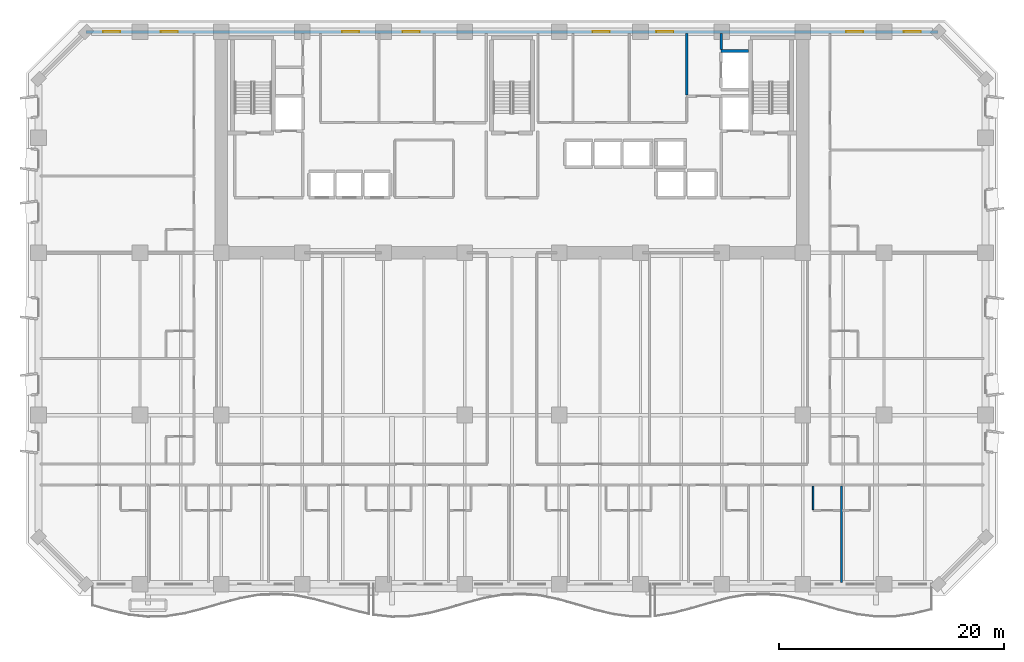
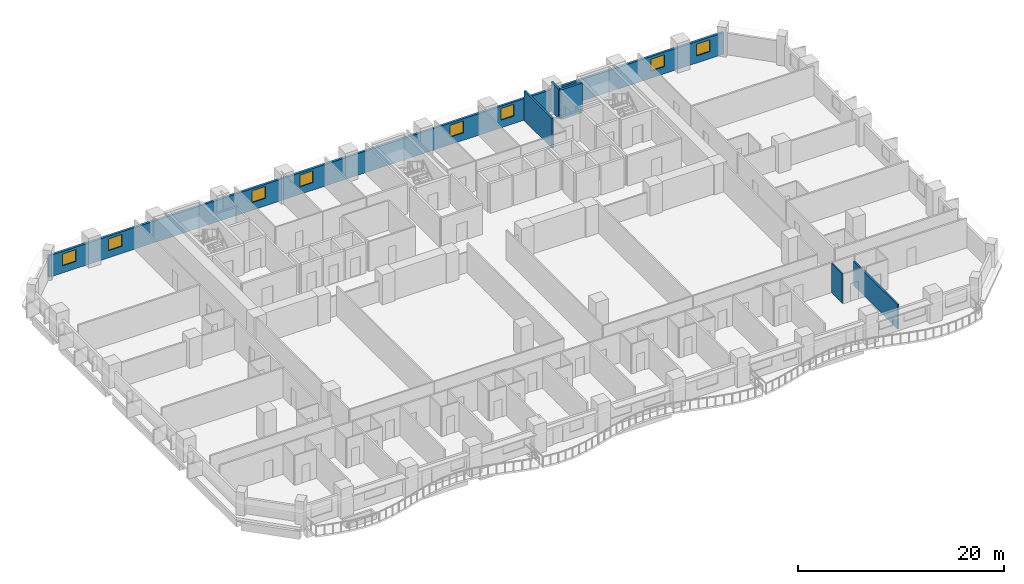
# One storey, part 10 of 16: 8 windows, 6 walls, 8 openings.
"""IFC4 building model written with IfcOpenShell, lengths in metres."""

from ifc_helpers import new_model, si_unit, direction, frame, frame_2d, origin, place, context, subcontext, project, spatial, rectangle, extrude, material, layer, layer_set, type_object, element, fill, save


model = new_model("IFC4")

# Units and contexts
model_context = context("Model", 3, precision=1e-05, world=origin(), true_north=direction((0.0, 1.0)))
body_context = subcontext(model_context, "Body", "Model", "MODEL_VIEW")
ifc_project = project(units=[si_unit("LENGTHUNIT", "METRE"), si_unit("AREAUNIT", "SQUARE_METRE"), si_unit("VOLUMEUNIT", "CUBIC_METRE"), si_unit("PLANEANGLEUNIT", "RADIAN"), si_unit("MASSUNIT", "GRAM", prefix="KILO")], contexts=[model_context])

# Site, building, storey
site_placement = place(None, origin())
site = spatial("IfcSite", under=ifc_project, at=site_placement, CompositionType="ELEMENT")
building_placement = place(site_placement, origin())
building = spatial("IfcBuilding", under=site, at=building_placement, Name="Kaelvorn Grand Hotel", CompositionType="ELEMENT")
storey_placement = place(building_placement, frame((0.0, 0.0, 35.14990234375)))
storey = spatial("IfcBuildingStorey", under=building, at=storey_placement, Name="L06", CompositionType="ELEMENT", Elevation=35.14990234375)

# Wall, openings, windows
ifc_material_1 = material(Name="Concrete C40/50", Category="concrete")
ifc_layer_1 = layer(ifc_material_1, 0.260009765625)
ifc_layer_set_1 = layer_set([ifc_layer_1], Name="Concrete C40/50")
wall_type_1 = type_object("IfcWallType", Name="WL-EXT-260-C40", PredefinedType="SOLIDWALL", material=ifc_layer_set_1)
wall_1_placement = place(storey_placement, frame((79.800048828125, 49.0, 0.0), z_axis=(0.0, 0.0, 1.0), x_axis=(-1.0, 0.0, 0.0)))
wall_1 = element("IfcWall", 1, at=wall_1_placement, inside=storey, type_object=wall_type_1, Name="L06 Exterior Architectural Concrete Wall 05", PredefinedType="SOLIDWALL", context=body_context, shape_type="SweptSolid", body=[
    extrude(rectangle(XDim=75.60009765625, YDim=0.260009765625, at=frame_2d((37.800048828125, 0.0))), origin(), (0.0, 0.0, 1.0), 2.56005859375),
])
opening_1_placement = place(wall_1_placement, frame((72.56494140625, 0.0, 0.85009765625)))
opening_1 = element("IfcOpeningElement", 2, at=opening_1_placement, cuts=wall_1, Name="Opening W10", PredefinedType="OPENING", context=body_context, shape_type="SweptSolid", body=[
    extrude(rectangle(XDim=1.5, YDim=1.39990234375, at=frame_2d((0.75, 0.699951171875))), frame((0.0, 0.14013671875, 0.0), z_axis=(0.0, -1.0, 0.0), x_axis=(1.0, 0.0, 0.0)), (0.0, 0.0, 1.0), 0.280029296875),
])
opening_2_placement = place(wall_1_placement, frame((67.449951171875, 0.0, 0.85009765625)))
opening_2 = element("IfcOpeningElement", 3, at=opening_2_placement, cuts=wall_1, Name="Opening W10", PredefinedType="OPENING", context=body_context, shape_type="SweptSolid", body=[
    extrude(rectangle(XDim=1.5, YDim=1.39990234375, at=frame_2d((0.75, 0.699951171875))), frame((0.0, 0.14013671875, 0.0), z_axis=(0.0, -1.0, 0.0), x_axis=(1.0, 0.0, 0.0)), (0.0, 0.0, 1.0), 0.280029296875),
])
opening_3_placement = place(wall_1_placement, frame((6.64990234375, 0.0, 0.85009765625)))
opening_3 = element("IfcOpeningElement", 4, at=opening_3_placement, cuts=wall_1, Name="Opening W10", PredefinedType="OPENING", context=body_context, shape_type="SweptSolid", body=[
    extrude(rectangle(XDim=1.5, YDim=1.39990234375, at=frame_2d((0.75, 0.699951171875))), frame((0.0, 0.14013671875, 0.0), z_axis=(0.0, -1.0, 0.0), x_axis=(1.0, 0.0, 0.0)), (0.0, 0.0, 1.0), 0.280029296875),
])
opening_4_placement = place(wall_1_placement, frame((1.534912109375, 0.0, 0.85009765625)))
opening_4 = element("IfcOpeningElement", 5, at=opening_4_placement, cuts=wall_1, Name="Opening W10", PredefinedType="OPENING", context=body_context, shape_type="SweptSolid", body=[
    extrude(rectangle(XDim=1.5, YDim=1.39990234375, at=frame_2d((0.75, 0.699951171875))), frame((0.0, 0.14013671875, 0.0), z_axis=(0.0, -1.0, 0.0), x_axis=(1.0, 0.0, 0.0)), (0.0, 0.0, 1.0), 0.280029296875),
])
opening_5_placement = place(wall_1_placement, frame((51.364990234375, 0.0, 0.89990234375)))
opening_5 = element("IfcOpeningElement", 6, at=opening_5_placement, cuts=wall_1, Name="Opening W10", PredefinedType="OPENING", context=body_context, shape_type="SweptSolid", body=[
    extrude(rectangle(XDim=1.5, YDim=1.39990234375, at=frame_2d((0.75, 0.699951171875))), frame((0.0, 0.14013671875, 0.0), z_axis=(0.0, -1.0, 0.0), x_axis=(1.0, 0.0, 0.0)), (0.0, 0.0, 1.0), 0.280029296875),
])
opening_6_placement = place(wall_1_placement, frame((46.0, 0.0, 0.89990234375)))
opening_6 = element("IfcOpeningElement", 7, at=opening_6_placement, cuts=wall_1, Name="Opening W10", PredefinedType="OPENING", context=body_context, shape_type="SweptSolid", body=[
    extrude(rectangle(XDim=1.5, YDim=1.39990234375, at=frame_2d((0.75, 0.699951171875))), frame((0.0, 0.14013671875, 0.0), z_axis=(0.0, -1.0, 0.0), x_axis=(1.0, 0.0, 0.0)), (0.0, 0.0, 1.0), 0.280029296875),
])
opening_7_placement = place(wall_1_placement, frame((29.14990234375, 0.0, 0.89990234375)))
opening_7 = element("IfcOpeningElement", 8, at=opening_7_placement, cuts=wall_1, Name="Opening W10", PredefinedType="OPENING", context=body_context, shape_type="SweptSolid", body=[
    extrude(rectangle(XDim=1.5, YDim=1.39990234375, at=frame_2d((0.75, 0.699951171875))), frame((0.0, 0.14013671875, 0.0), z_axis=(0.0, -1.0, 0.0), x_axis=(1.0, 0.0, 0.0)), (0.0, 0.0, 1.0), 0.280029296875),
])
opening_8_placement = place(wall_1_placement, frame((23.485107421875, 0.0, 0.89990234375)))
opening_8 = element("IfcOpeningElement", 9, at=opening_8_placement, cuts=wall_1, Name="Opening W10", PredefinedType="OPENING", context=body_context, shape_type="SweptSolid", body=[
    extrude(rectangle(XDim=1.5, YDim=1.39990234375, at=frame_2d((0.75, 0.699951171875))), frame((0.0, 0.14013671875, 0.0), z_axis=(0.0, -1.0, 0.0), x_axis=(1.0, 0.0, 0.0)), (0.0, 0.0, 1.0), 0.280029296875),
])
ifc_material_2 = material(Name="Laminated Low-E Glass", Category="glass")
window_type = type_object("IfcWindowType", Name="WIN-COR-1500x1400", PartitioningType="SINGLE_PANEL", PredefinedType="WINDOW", material=ifc_material_2)
window_1_placement = place(opening_1_placement, origin())
window_1 = element("IfcWindow", 10, at=window_1_placement, inside=storey, type_object=window_type, Name="L06 North Wing Ribbon Window NW01", OverallHeight=1.39990234375, OverallWidth=1.5, PartitioningType="SINGLE_PANEL", PredefinedType="WINDOW", context=body_context, shape_type="SweptSolid", body=[
    extrude(rectangle(XDim=1.5, YDim=1.39990234375, at=frame_2d((0.75, 0.699951171875))), frame((0.0, 0.030029296875, 0.0), z_axis=(0.0, -1.0, 0.0), x_axis=(1.0, 0.0, 0.0)), (0.0, 0.0, 1.0), 0.06005859375),
])
fill(opening_1, window_1)
window_2_placement = place(opening_2_placement, origin())
window_2 = element("IfcWindow", 11, at=window_2_placement, inside=storey, type_object=window_type, Name="L06 North Wing Ribbon Window NW02", OverallHeight=1.39990234375, OverallWidth=1.5, PartitioningType="SINGLE_PANEL", PredefinedType="WINDOW", context=body_context, shape_type="SweptSolid", body=[
    extrude(rectangle(XDim=1.5, YDim=1.39990234375, at=frame_2d((0.75, 0.699951171875))), frame((0.0, 0.030029296875, 0.0), z_axis=(0.0, -1.0, 0.0), x_axis=(1.0, 0.0, 0.0)), (0.0, 0.0, 1.0), 0.06005859375),
])
fill(opening_2, window_2)
window_3_placement = place(opening_3_placement, origin())
window_3 = element("IfcWindow", 12, at=window_3_placement, inside=storey, type_object=window_type, Name="L06 North Wing Ribbon Window NW03", OverallHeight=1.39990234375, OverallWidth=1.5, PartitioningType="SINGLE_PANEL", PredefinedType="WINDOW", context=body_context, shape_type="SweptSolid", body=[
    extrude(rectangle(XDim=1.5, YDim=1.39990234375, at=frame_2d((0.75, 0.699951171875))), frame((0.0, 0.030029296875, 0.0), z_axis=(0.0, -1.0, 0.0), x_axis=(1.0, 0.0, 0.0)), (0.0, 0.0, 1.0), 0.06005859375),
])
fill(opening_3, window_3)
window_4_placement = place(opening_4_placement, origin())
window_4 = element("IfcWindow", 13, at=window_4_placement, inside=storey, type_object=window_type, Name="L06 North Wing Ribbon Window NW04", OverallHeight=1.39990234375, OverallWidth=1.5, PartitioningType="SINGLE_PANEL", PredefinedType="WINDOW", context=body_context, shape_type="SweptSolid", body=[
    extrude(rectangle(XDim=1.5, YDim=1.39990234375, at=frame_2d((0.75, 0.699951171875))), frame((0.0, 0.030029296875, 0.0), z_axis=(0.0, -1.0, 0.0), x_axis=(1.0, 0.0, 0.0)), (0.0, 0.0, 1.0), 0.06005859375),
])
fill(opening_4, window_4)
window_5_placement = place(opening_5_placement, origin())
window_5 = element("IfcWindow", 14, at=window_5_placement, inside=storey, type_object=window_type, Name="L06 North Core Clerestory Ribbon Window NC05", OverallHeight=1.39990234375, OverallWidth=1.5, PartitioningType="SINGLE_PANEL", PredefinedType="WINDOW", context=body_context, shape_type="SweptSolid", body=[
    extrude(rectangle(XDim=1.5, YDim=1.39990234375, at=frame_2d((0.75, 0.699951171875))), frame((0.0, 0.030029296875, 0.0), z_axis=(0.0, -1.0, 0.0), x_axis=(1.0, 0.0, 0.0)), (0.0, 0.0, 1.0), 0.06005859375),
])
fill(opening_5, window_5)
window_6_placement = place(opening_6_placement, origin())
window_6 = element("IfcWindow", 15, at=window_6_placement, inside=storey, type_object=window_type, Name="L06 North Core Clerestory Ribbon Window NC06", OverallHeight=1.39990234375, OverallWidth=1.5, PartitioningType="SINGLE_PANEL", PredefinedType="WINDOW", context=body_context, shape_type="SweptSolid", body=[
    extrude(rectangle(XDim=1.5, YDim=1.39990234375, at=frame_2d((0.75, 0.699951171875))), frame((0.0, 0.030029296875, 0.0), z_axis=(0.0, -1.0, 0.0), x_axis=(1.0, 0.0, 0.0)), (0.0, 0.0, 1.0), 0.06005859375),
])
fill(opening_6, window_6)
window_7_placement = place(opening_7_placement, origin())
window_7 = element("IfcWindow", 16, at=window_7_placement, inside=storey, type_object=window_type, Name="L06 North Core Clerestory Ribbon Window NC07", OverallHeight=1.39990234375, OverallWidth=1.5, PartitioningType="SINGLE_PANEL", PredefinedType="WINDOW", context=body_context, shape_type="SweptSolid", body=[
    extrude(rectangle(XDim=1.5, YDim=1.39990234375, at=frame_2d((0.75, 0.699951171875))), frame((0.0, 0.030029296875, 0.0), z_axis=(0.0, -1.0, 0.0), x_axis=(1.0, 0.0, 0.0)), (0.0, 0.0, 1.0), 0.06005859375),
])
fill(opening_7, window_7)
window_8_placement = place(opening_8_placement, origin())
window_8 = element("IfcWindow", 17, at=window_8_placement, inside=storey, type_object=window_type, Name="L06 North Core Clerestory Ribbon Window NC08", OverallHeight=1.39990234375, OverallWidth=1.5, PartitioningType="SINGLE_PANEL", PredefinedType="WINDOW", context=body_context, shape_type="SweptSolid", body=[
    extrude(rectangle(XDim=1.5, YDim=1.39990234375, at=frame_2d((0.75, 0.699951171875))), frame((0.0, 0.030029296875, 0.0), z_axis=(0.0, -1.0, 0.0), x_axis=(1.0, 0.0, 0.0)), (0.0, 0.0, 1.0), 0.06005859375),
])
fill(opening_8, window_8)

# Walls
ifc_material_3 = material(Name="Moisture-Resistant Tile & Stud Board")
ifc_layer_2 = layer(ifc_material_3, 0.125)
ifc_layer_set_2 = layer_set([ifc_layer_2], Name="Moisture-Resistant Tile & Stud Board")
wall_type_2 = type_object("IfcWallType", Name="WL-PART-125-WET", PredefinedType="PARTITIONING", material=ifc_layer_set_2)
wall_2_placement = place(storey_placement, frame((68.716796875, 6.617431640625, 0.0), z_axis=(0.0, 0.0, 1.0), x_axis=(0.0, 1.0, 0.0)))
element("IfcWall", 18, at=wall_2_placement, inside=storey, type_object=wall_type_2, Name="L06 En-suite Bathroom L06-12 W Partition", PredefinedType="PARTITIONING", context=body_context, shape_type="SweptSolid", body=[
    extrude(rectangle(XDim=2.087646484375, YDim=0.125, at=frame_2d((1.0439453125, 0.0))), origin(), (0.0, 0.0, 1.0), 3.510009765625),
])
ifc_material_4 = material(Name="Acoustic Gypsum & Stud Partition")
ifc_layer_3 = layer(ifc_material_4, 0.179931640625)
ifc_layer_set_3 = layer_set([ifc_layer_3], Name="Acoustic Gypsum & Stud Partition")
wall_type_3 = type_object("IfcWallType", Name="WL-PART-180-EI60", PredefinedType="PARTITIONING", material=ifc_layer_set_3)
wall_3_placement = place(storey_placement, frame((71.216796875, 0.14990234375, 0.0), z_axis=(0.0, 0.0, 1.0), x_axis=(0.0, 1.0, 0.0)))
element("IfcWall", 19, at=wall_3_placement, inside=storey, type_object=wall_type_3, Name="L06 Deluxe King Guest Room L06-12 E Partition", PredefinedType="PARTITIONING", context=body_context, shape_type="SweptSolid", body=[
    extrude(rectangle(XDim=8.55517578125, YDim=0.179931640625, at=frame_2d((4.277587890625, 0.0))), origin(), (0.0, 0.0, 1.0), 2.880126953125),
])
ifc_layer_4 = layer(ifc_material_1, 0.219970703125)
ifc_layer_set_4 = layer_set([ifc_layer_4], Name="Concrete C40/50")
wall_type_4 = type_object("IfcWallType", Name="WL-PART-220-EI120", PredefinedType="PARTITIONING", material=ifc_layer_set_4)
wall_4_placement = place(storey_placement, frame((57.5, 43.4150390625, 0.0), z_axis=(0.0, 0.0, 1.0), x_axis=(0.0, 1.0, 0.0)))
element("IfcWall", 20, at=wall_4_placement, inside=storey, type_object=wall_type_4, Name="L06 Service Lift Lobby W Partition", PredefinedType="PARTITIONING", context=body_context, shape_type="SweptSolid", body=[
    extrude(rectangle(XDim=5.43505859375, YDim=0.219970703125, at=frame_2d((2.717529296875, 0.0))), origin(), (0.0, 0.0, 1.0), 3.510009765625),
])
wall_5_placement = place(storey_placement, frame((60.550048828125, 47.445068359375, 0.0), z_axis=(0.0, 0.0, 1.0), x_axis=(0.0, 1.0, 0.0)))
element("IfcWall", 21, at=wall_5_placement, inside=storey, type_object=wall_type_4, Name="L06 Service Lift Lobby E Partition", PredefinedType="PARTITIONING", context=body_context, shape_type="SweptSolid", body=[
    extrude(rectangle(XDim=1.405029296875, YDim=0.219970703125, at=frame_2d((0.70263671875, 0.0))), origin(), (0.0, 0.0, 1.0), 3.510009765625),
])
ifc_material_5 = material(Name="Concrete C50/60", Category="concrete")
ifc_layer_5 = layer(ifc_material_5, 0.280029296875)
ifc_layer_set_5 = layer_set([ifc_layer_5], Name="Concrete C50/60")
wall_type_5 = type_object("IfcWallType", Name="WL-SHAFT-280-C50", PredefinedType="SHEAR", material=ifc_layer_set_5)
wall_6_placement = place(storey_placement, frame((60.550048828125, 47.300048828125, 0.0), z_axis=(0.0, 0.0, 1.0), x_axis=(1.0, 0.0, 0.0)))
element("IfcWall", 22, at=wall_6_placement, inside=storey, type_object=wall_type_5, Name="L06 Lift SV1 Shaft North Wall", PredefinedType="SHEAR", context=body_context, shape_type="SweptSolid", body=[
    extrude(rectangle(XDim=2.4150390625, YDim=0.280029296875, at=frame_2d((1.20751953125, 0.0))), origin(), (0.0, 0.0, 1.0), 3.510009765625),
])

save(model, "model.ifc")
